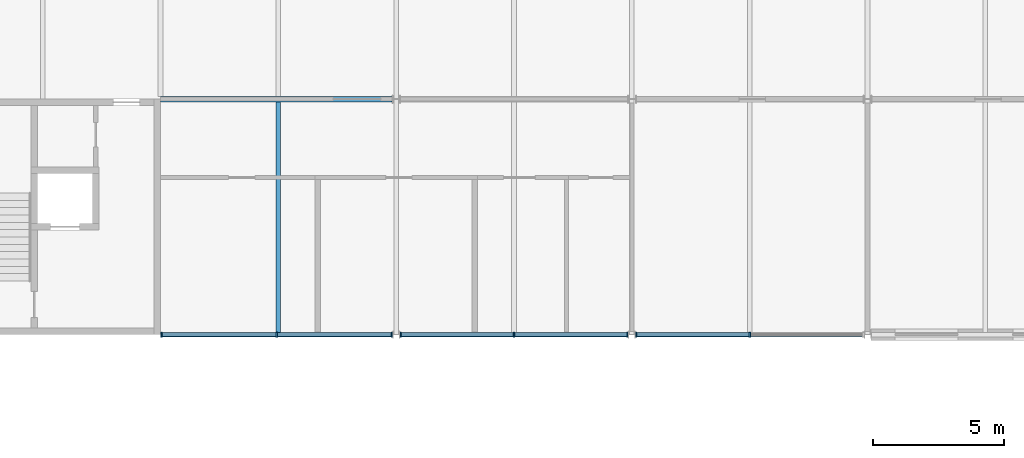
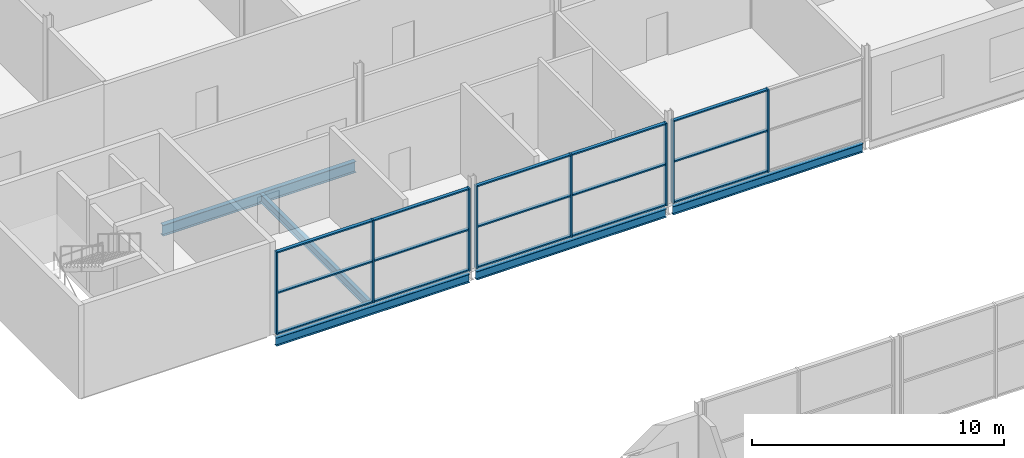
# One storey, part 30 of 97: 23 members, 5 beams, 3 elements without a shape of their own.
"""IFC4 building model written with IfcOpenShell, lengths in metres."""

from ifc_helpers import new_model, si_unit, direction, frame, origin, origin_2d, place, context, subcontext, project, spatial, rectangle, i_section, extrude, material, layer, layer_set, material_profile, profile_set, type_object, element, aggregate, save


model = new_model("IFC4")

# Units and contexts
model_context = context("Model", 3, precision=1e-05, world=origin(), true_north=direction((0.0, 1.0)))
body_context = subcontext(model_context, "Body", "Model", "MODEL_VIEW")
ifc_project = project(units=[si_unit("LENGTHUNIT", "METRE"), si_unit("AREAUNIT", "SQUARE_METRE"), si_unit("VOLUMEUNIT", "CUBIC_METRE"), si_unit("PLANEANGLEUNIT", "RADIAN"), si_unit("MASSUNIT", "GRAM", prefix="KILO")], contexts=[model_context])

# Site, building, storey
site_placement = place(None, origin())
site = spatial("IfcSite", under=ifc_project, at=site_placement, CompositionType="ELEMENT")
building_placement = place(site_placement, origin())
building = spatial("IfcBuilding", under=site, at=building_placement, Name="Corbel Yard City Hall", CompositionType="ELEMENT")
storey_placement = place(building_placement, frame((0.0, 0.0, 6.0)))
storey = spatial("IfcBuildingStorey", under=building, at=storey_placement, Name="L01", CompositionType="ELEMENT", Elevation=6.0)

# Beams
ifc_material_1 = material(Name="Steel Grade 300 (300 MPa yield)", Category="steel")
ifc_material_profile_1 = material_profile(ifc_material_1, i_section(OverallWidth=0.177978515625, OverallDepth=0.406005859375, WebThickness=0.0078125, FlangeThickness=0.0126953125, at=origin_2d()), Name="410UB59.7")
ifc_profile_set_1 = profile_set([ifc_material_profile_1], Name="Steel Grade 300 (300 MPa yield)")
beam_type_1 = type_object("IfcBeamType", Name="Edge beam 410UB59.7", PredefinedType="BEAM", material=ifc_profile_set_1)
beam_1_placement = place(storey_placement, frame((9.0, 45.0, -0.35302734375), z_axis=(1.0, 0.0, 0.0), x_axis=(0.0, 1.0, 0.0)))
element("IfcBeam", 1, at=beam_1_placement, inside=storey, type_object=beam_type_1, Name="Edge beam 410UB59.7 EB2 L01floor", PredefinedType="BEAM", context=body_context, shape_type="SweptSolid", body=[
    extrude(i_section(OverallWidth=0.177978515625, OverallDepth=0.406005859375, WebThickness=0.0078125, FlangeThickness=0.0126953125, at=origin_2d()), origin(), (0.0, 0.0, 1.0), 8.842529296875),
])
for number, where, z_axis, x_axis, name in (
    (2, (18.157470703125, 45.0, -0.35302734375), (1.0, 0.0, 0.0), (0.0, 1.0, 0.0), "Edge beam 410UB59.7 EB2 L01floor"),
    (3, (27.157470703125, 45.0, -0.35302734375), (1.0, 0.0, 0.0), (0.0, 1.0, 0.0), "Edge beam 410UB59.7 EB2 L01floor"),
):
    element("IfcBeam", number, at=place(storey_placement, frame(where, z_axis=z_axis, x_axis=x_axis)), inside=storey, type_object=beam_type_1, Name=name, PredefinedType="BEAM", context=body_context, shape_type="SweptSolid", body=[
        extrude(i_section(OverallWidth=0.177978515625, OverallDepth=0.406005859375, WebThickness=0.0078125, FlangeThickness=0.0126953125, at=origin_2d()), origin(), (0.0, 0.0, 1.0), 8.68505859375),
    ])
ifc_material_profile_2 = material_profile(ifc_material_1, i_section(OverallWidth=0.208984375, OverallDepth=0.528076171875, WebThickness=0.009521484375, FlangeThickness=0.01318359375, at=origin_2d()), Name="530UB82.0")
ifc_profile_set_2 = profile_set([ifc_material_profile_2], Name="Steel Grade 300 (300 MPa yield)")
beam_type_2 = type_object("IfcBeamType", Name="Girder 530UB82.0", PredefinedType="BEAM", material=ifc_profile_set_2)
beam_2_placement = place(storey_placement, frame((9.0, 54.0, -0.4140625), z_axis=(1.0, 0.0, 0.0), x_axis=(0.0, 1.0, 0.0)))
element("IfcBeam", 4, at=beam_2_placement, inside=storey, type_object=beam_type_2, Name="Girder 530UB82.0 GB3 L01floor", PredefinedType="BEAM", context=body_context, shape_type="SweptSolid", body=[
    extrude(i_section(OverallWidth=0.208984375, OverallDepth=0.528076171875, WebThickness=0.009521484375, FlangeThickness=0.01318359375, at=origin_2d()), origin(), (0.0, 0.0, 1.0), 8.83642578125),
])

# Curtain wall, members
ifc_material_2 = material(Name="Aluminium extrusion", Category="aluminium")
ifc_layer = layer(ifc_material_2, 0.199951171875)
ifc_layer_set = layer_set([ifc_layer], Name="Aluminium extrusion")
curtain_wall_type = type_object("IfcCurtainWallType", Name="CW1", PredefinedType="USERDEFINED", material=ifc_layer_set)
curtain_wall_1_placement = place(storey_placement, origin())
curtain_wall_1 = element("IfcCurtainWall", 5, at=curtain_wall_1_placement, inside=storey, type_object=curtain_wall_type, Name="Curtain wall CW1 L01", ObjectType="CURTAIN WALL", PredefinedType="USERDEFINED")
ifc_material_profile_3 = material_profile(ifc_material_2, rectangle(XDim=0.199951171875, YDim=0.06494140625, at=origin_2d()), Name="200x65")
ifc_profile_set_3 = profile_set([ifc_material_profile_3], Name="Aluminium extrusion")
member_type_1 = type_object("IfcMemberType", Name="ML1", PredefinedType="MULLION", material=ifc_profile_set_3)
member_1_placement = place(storey_placement, frame((9.032470703125, 45.0, 0.0), z_axis=(0.0, 0.0, 1.0), x_axis=(0.0, 1.0, 0.0)))
member_1 = element("IfcMember", 6, at=member_1_placement, type_object=member_type_1, Name="CW1 mullion 1", PredefinedType="MULLION", context=body_context, shape_type="SweptSolid", body=[
    extrude(rectangle(XDim=0.199951171875, YDim=0.06494140625, at=origin_2d()), origin(), (0.0, 0.0, 1.0), 3.990966796875),
])
member_2_placement = place(storey_placement, frame((13.43505859375, 45.0, 0.0), z_axis=(0.0, 0.0, 1.0), x_axis=(0.0, 1.0, 0.0)))
member_2 = element("IfcMember", 7, at=member_2_placement, type_object=member_type_1, Name="CW1 mullion 2", PredefinedType="MULLION", context=body_context, shape_type="SweptSolid", body=[
    extrude(rectangle(XDim=0.199951171875, YDim=0.06494140625, at=origin_2d()), origin(), (0.0, 0.0, 1.0), 3.990966796875),
])
member_3_placement = place(storey_placement, frame((17.83740234375, 45.0, 0.0), z_axis=(0.0, 0.0, 1.0), x_axis=(0.0, 1.0, 0.0)))
member_3 = element("IfcMember", 8, at=member_3_placement, type_object=member_type_1, Name="CW1 mullion 3", PredefinedType="MULLION", context=body_context, shape_type="SweptSolid", body=[
    extrude(rectangle(XDim=0.199951171875, YDim=0.06494140625, at=origin_2d()), origin(), (0.0, 0.0, 1.0), 3.990966796875),
])

curtain_wall_2_placement = place(storey_placement, origin())
curtain_wall_2 = element("IfcCurtainWall", 9, at=curtain_wall_2_placement, inside=storey, type_object=curtain_wall_type, Name="Curtain wall CW1 L01", ObjectType="CURTAIN WALL", PredefinedType="USERDEFINED")
member_4_placement = place(storey_placement, frame((18.16259765625, 45.0, 0.0), z_axis=(0.0, 0.0, 1.0), x_axis=(0.0, 1.0, 0.0)))
member_4 = element("IfcMember", 10, at=member_4_placement, type_object=member_type_1, Name="CW1 mullion 1", PredefinedType="MULLION", context=body_context, shape_type="SweptSolid", body=[
    extrude(rectangle(XDim=0.199951171875, YDim=0.06494140625, at=origin_2d()), origin(), (0.0, 0.0, 1.0), 3.990966796875),
])
member_5_placement = place(storey_placement, frame((22.5, 45.0, 0.0), z_axis=(0.0, 0.0, 1.0), x_axis=(0.0, 1.0, 0.0)))
member_5 = element("IfcMember", 11, at=member_5_placement, type_object=member_type_1, Name="CW1 mullion 2", PredefinedType="MULLION", context=body_context, shape_type="SweptSolid", body=[
    extrude(rectangle(XDim=0.199951171875, YDim=0.06494140625, at=origin_2d()), origin(), (0.0, 0.0, 1.0), 3.990966796875),
])
member_6_placement = place(storey_placement, frame((26.83740234375, 45.0, 0.0), z_axis=(0.0, 0.0, 1.0), x_axis=(0.0, 1.0, 0.0)))
member_6 = element("IfcMember", 12, at=member_6_placement, type_object=member_type_1, Name="CW1 mullion 3", PredefinedType="MULLION", context=body_context, shape_type="SweptSolid", body=[
    extrude(rectangle(XDim=0.199951171875, YDim=0.06494140625, at=origin_2d()), origin(), (0.0, 0.0, 1.0), 3.990966796875),
])

curtain_wall_3_placement = place(storey_placement, origin())
curtain_wall_3 = element("IfcCurtainWall", 13, at=curtain_wall_3_placement, inside=storey, type_object=curtain_wall_type, Name="Curtain wall CW1 L01", ObjectType="CURTAIN WALL", PredefinedType="USERDEFINED")
member_7_placement = place(storey_placement, frame((27.16259765625, 45.0, 0.0), z_axis=(0.0, 0.0, 1.0), x_axis=(0.0, 1.0, 0.0)))
member_7 = element("IfcMember", 14, at=member_7_placement, type_object=member_type_1, Name="CW1 mullion 1", PredefinedType="MULLION", context=body_context, shape_type="SweptSolid", body=[
    extrude(rectangle(XDim=0.199951171875, YDim=0.06494140625, at=origin_2d()), origin(), (0.0, 0.0, 1.0), 3.990966796875),
])
member_8_placement = place(storey_placement, frame((31.5, 45.0, 0.0), z_axis=(0.0, 0.0, 1.0), x_axis=(0.0, 1.0, 0.0)))
member_8 = element("IfcMember", 15, at=member_8_placement, type_object=member_type_1, Name="CW1 mullion 2", PredefinedType="MULLION", context=body_context, shape_type="SweptSolid", body=[
    extrude(rectangle(XDim=0.199951171875, YDim=0.06494140625, at=origin_2d()), origin(), (0.0, 0.0, 1.0), 3.990966796875),
])

# Beam
ifc_material_profile_4 = material_profile(ifc_material_1, i_section(OverallWidth=0.177978515625, OverallDepth=0.403076171875, WebThickness=0.007568359375, FlangeThickness=0.010986328125, at=origin_2d()), Name="410UB53.7")
ifc_profile_set_4 = profile_set([ifc_material_profile_4], Name="Steel Grade 300 (300 MPa yield)")
beam_type_3 = type_object("IfcBeamType", Name="Secondary beam 410UB53.7", PredefinedType="JOIST", material=ifc_profile_set_4)
beam_3_placement = place(storey_placement, frame((13.5, 45.089111328125, -0.3515625), z_axis=(0.0, 1.0, 0.0), x_axis=(-1.0, 0.0, 0.0)))
element("IfcBeam", 16, at=beam_3_placement, inside=storey, type_object=beam_type_3, Name="Secondary beam 410UB53.7 SB5 L01floor", PredefinedType="JOIST", context=body_context, shape_type="SweptSolid", body=[
    extrude(i_section(OverallWidth=0.177978515625, OverallDepth=0.403076171875, WebThickness=0.007568359375, FlangeThickness=0.010986328125, at=origin_2d()), origin(), (0.0, 0.0, 1.0), 8.806396484375),
])

# Member
ifc_material_profile_5 = material_profile(ifc_material_2, rectangle(XDim=0.14990234375, YDim=0.06494140625, at=origin_2d()), Name="150x65")
ifc_profile_set_5 = profile_set([ifc_material_profile_5], Name="Aluminium extrusion")
member_type_2 = type_object("IfcMemberType", Name="TR1", PredefinedType="USERDEFINED", material=ifc_profile_set_5)
member_9_placement = place(storey_placement, frame((9.06494140625, 45.0, 0.032470703125), z_axis=(1.0, 0.0, 0.0), x_axis=(0.0, 1.0, 0.0)))
member_9 = element("IfcMember", 17, at=member_9_placement, type_object=member_type_2, Name="CW1 transom 1.1", ObjectType="TRANSOM", PredefinedType="USERDEFINED", context=body_context, shape_type="SweptSolid", body=[
    extrude(rectangle(XDim=0.14990234375, YDim=0.06494140625, at=origin_2d()), origin(), (0.0, 0.0, 1.0), 4.337646484375),
])

member_10_placement = place(storey_placement, frame((9.06494140625, 45.0, 1.99560546875), z_axis=(1.0, 0.0, 0.0), x_axis=(0.0, 1.0, 0.0)))
member_10 = element("IfcMember", 18, at=member_10_placement, type_object=member_type_2, Name="CW1 transom 1.2", ObjectType="TRANSOM", PredefinedType="USERDEFINED", context=body_context, shape_type="SweptSolid", body=[
    extrude(rectangle(XDim=0.14990234375, YDim=0.06494140625, at=origin_2d()), origin(), (0.0, 0.0, 1.0), 4.337646484375),
])

member_11_placement = place(storey_placement, frame((9.06494140625, 45.0, 3.95849609375), z_axis=(1.0, 0.0, 0.0), x_axis=(0.0, 1.0, 0.0)))
member_11 = element("IfcMember", 19, at=member_11_placement, type_object=member_type_2, Name="CW1 transom 1.3", ObjectType="TRANSOM", PredefinedType="USERDEFINED", context=body_context, shape_type="SweptSolid", body=[
    extrude(rectangle(XDim=0.14990234375, YDim=0.06494140625, at=origin_2d()), origin(), (0.0, 0.0, 1.0), 4.337646484375),
])

member_12_placement = place(storey_placement, frame((13.467529296875, 45.0, 0.032470703125), z_axis=(1.0, 0.0, 0.0), x_axis=(0.0, 1.0, 0.0)))
member_12 = element("IfcMember", 20, at=member_12_placement, type_object=member_type_2, Name="CW1 transom 2.1", ObjectType="TRANSOM", PredefinedType="USERDEFINED", context=body_context, shape_type="SweptSolid", body=[
    extrude(rectangle(XDim=0.14990234375, YDim=0.06494140625, at=origin_2d()), origin(), (0.0, 0.0, 1.0), 4.33740234375),
])

member_13_placement = place(storey_placement, frame((13.467529296875, 45.0, 1.99560546875), z_axis=(1.0, 0.0, 0.0), x_axis=(0.0, 1.0, 0.0)))
member_13 = element("IfcMember", 21, at=member_13_placement, type_object=member_type_2, Name="CW1 transom 2.2", ObjectType="TRANSOM", PredefinedType="USERDEFINED", context=body_context, shape_type="SweptSolid", body=[
    extrude(rectangle(XDim=0.14990234375, YDim=0.06494140625, at=origin_2d()), origin(), (0.0, 0.0, 1.0), 4.33740234375),
])

member_14_placement = place(storey_placement, frame((13.467529296875, 45.0, 3.95849609375), z_axis=(1.0, 0.0, 0.0), x_axis=(0.0, 1.0, 0.0)))
member_14 = element("IfcMember", 22, at=member_14_placement, type_object=member_type_2, Name="CW1 transom 2.3", ObjectType="TRANSOM", PredefinedType="USERDEFINED", context=body_context, shape_type="SweptSolid", body=[
    extrude(rectangle(XDim=0.14990234375, YDim=0.06494140625, at=origin_2d()), origin(), (0.0, 0.0, 1.0), 4.33740234375),
])

aggregate(curtain_wall_1, [member_1, member_2, member_3, member_9, member_10, member_11, member_12, member_13, member_14])

member_15_placement = place(storey_placement, frame((18.195068359375, 45.0, 0.032470703125), z_axis=(1.0, 0.0, 0.0), x_axis=(0.0, 1.0, 0.0)))
member_15 = element("IfcMember", 23, at=member_15_placement, type_object=member_type_2, Name="CW1 transom 1.1", ObjectType="TRANSOM", PredefinedType="USERDEFINED", context=body_context, shape_type="SweptSolid", body=[
    extrude(rectangle(XDim=0.14990234375, YDim=0.06494140625, at=origin_2d()), origin(), (0.0, 0.0, 1.0), 4.2724609375),
])

member_16_placement = place(storey_placement, frame((18.195068359375, 45.0, 1.99560546875), z_axis=(1.0, 0.0, 0.0), x_axis=(0.0, 1.0, 0.0)))
member_16 = element("IfcMember", 24, at=member_16_placement, type_object=member_type_2, Name="CW1 transom 1.2", ObjectType="TRANSOM", PredefinedType="USERDEFINED", context=body_context, shape_type="SweptSolid", body=[
    extrude(rectangle(XDim=0.14990234375, YDim=0.06494140625, at=origin_2d()), origin(), (0.0, 0.0, 1.0), 4.2724609375),
])

member_17_placement = place(storey_placement, frame((18.195068359375, 45.0, 3.95849609375), z_axis=(1.0, 0.0, 0.0), x_axis=(0.0, 1.0, 0.0)))
member_17 = element("IfcMember", 25, at=member_17_placement, type_object=member_type_2, Name="CW1 transom 1.3", ObjectType="TRANSOM", PredefinedType="USERDEFINED", context=body_context, shape_type="SweptSolid", body=[
    extrude(rectangle(XDim=0.14990234375, YDim=0.06494140625, at=origin_2d()), origin(), (0.0, 0.0, 1.0), 4.2724609375),
])

member_18_placement = place(storey_placement, frame((22.532470703125, 45.0, 0.032470703125), z_axis=(1.0, 0.0, 0.0), x_axis=(0.0, 1.0, 0.0)))
member_18 = element("IfcMember", 26, at=member_18_placement, type_object=member_type_2, Name="CW1 transom 2.1", ObjectType="TRANSOM", PredefinedType="USERDEFINED", context=body_context, shape_type="SweptSolid", body=[
    extrude(rectangle(XDim=0.14990234375, YDim=0.06494140625, at=origin_2d()), origin(), (0.0, 0.0, 1.0), 4.2724609375),
])

member_19_placement = place(storey_placement, frame((22.532470703125, 45.0, 1.99560546875), z_axis=(1.0, 0.0, 0.0), x_axis=(0.0, 1.0, 0.0)))
member_19 = element("IfcMember", 27, at=member_19_placement, type_object=member_type_2, Name="CW1 transom 2.2", ObjectType="TRANSOM", PredefinedType="USERDEFINED", context=body_context, shape_type="SweptSolid", body=[
    extrude(rectangle(XDim=0.14990234375, YDim=0.06494140625, at=origin_2d()), origin(), (0.0, 0.0, 1.0), 4.2724609375),
])

member_20_placement = place(storey_placement, frame((22.532470703125, 45.0, 3.95849609375), z_axis=(1.0, 0.0, 0.0), x_axis=(0.0, 1.0, 0.0)))
member_20 = element("IfcMember", 28, at=member_20_placement, type_object=member_type_2, Name="CW1 transom 2.3", ObjectType="TRANSOM", PredefinedType="USERDEFINED", context=body_context, shape_type="SweptSolid", body=[
    extrude(rectangle(XDim=0.14990234375, YDim=0.06494140625, at=origin_2d()), origin(), (0.0, 0.0, 1.0), 4.2724609375),
])

aggregate(curtain_wall_2, [member_4, member_5, member_6, member_15, member_16, member_17, member_18, member_19, member_20])

member_21_placement = place(storey_placement, frame((27.195068359375, 45.0, 0.032470703125), z_axis=(1.0, 0.0, 0.0), x_axis=(0.0, 1.0, 0.0)))
member_21 = element("IfcMember", 29, at=member_21_placement, type_object=member_type_2, Name="CW1 transom 1.1", ObjectType="TRANSOM", PredefinedType="USERDEFINED", context=body_context, shape_type="SweptSolid", body=[
    extrude(rectangle(XDim=0.14990234375, YDim=0.06494140625, at=origin_2d()), origin(), (0.0, 0.0, 1.0), 4.2724609375),
])

member_22_placement = place(storey_placement, frame((27.195068359375, 45.0, 1.99560546875), z_axis=(1.0, 0.0, 0.0), x_axis=(0.0, 1.0, 0.0)))
member_22 = element("IfcMember", 30, at=member_22_placement, type_object=member_type_2, Name="CW1 transom 1.2", ObjectType="TRANSOM", PredefinedType="USERDEFINED", context=body_context, shape_type="SweptSolid", body=[
    extrude(rectangle(XDim=0.14990234375, YDim=0.06494140625, at=origin_2d()), origin(), (0.0, 0.0, 1.0), 4.2724609375),
])

member_23_placement = place(storey_placement, frame((27.195068359375, 45.0, 3.95849609375), z_axis=(1.0, 0.0, 0.0), x_axis=(0.0, 1.0, 0.0)))
member_23 = element("IfcMember", 31, at=member_23_placement, type_object=member_type_2, Name="CW1 transom 1.3", ObjectType="TRANSOM", PredefinedType="USERDEFINED", context=body_context, shape_type="SweptSolid", body=[
    extrude(rectangle(XDim=0.14990234375, YDim=0.06494140625, at=origin_2d()), origin(), (0.0, 0.0, 1.0), 4.2724609375),
])

aggregate(curtain_wall_3, [member_7, member_8, member_21, member_22, member_23])

save(model, "model.ifc")
